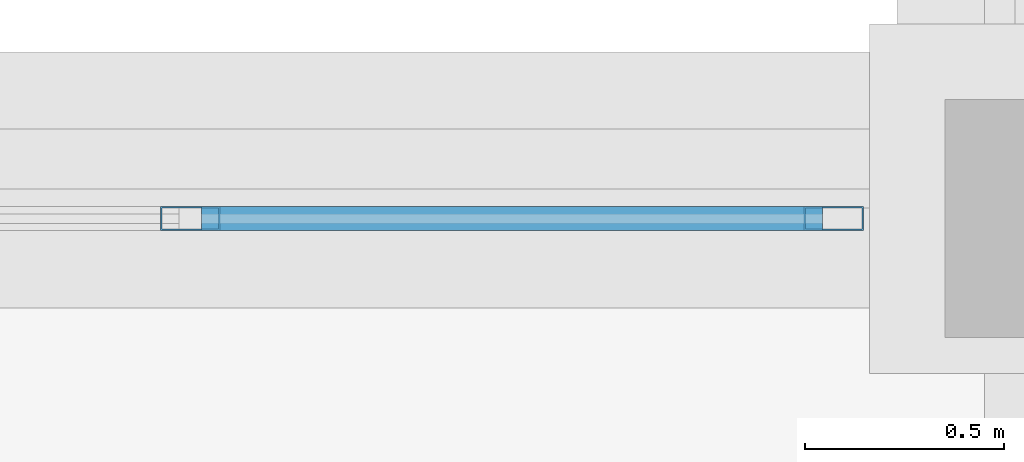
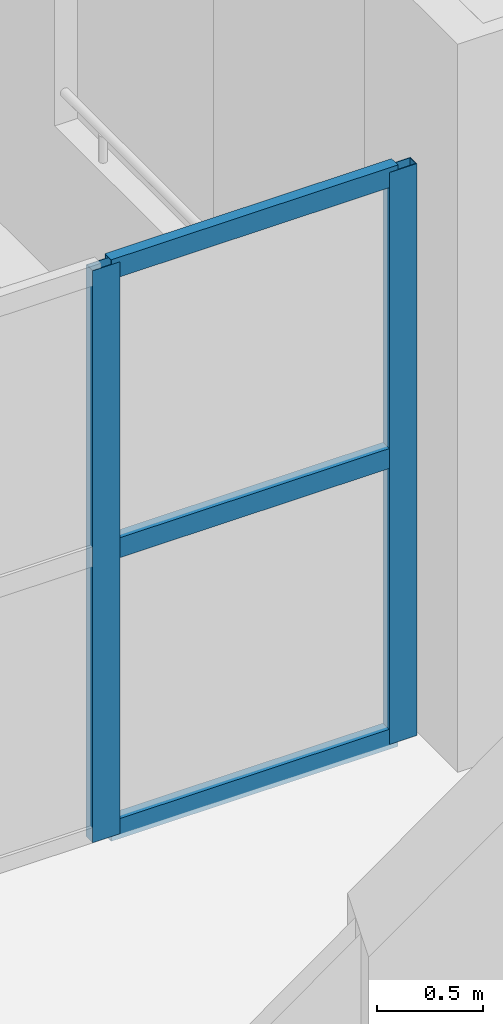
# One storey, part 69 of 120: 5 members, 1 element without a shape of its own.
"""IFC4 building model written with IfcOpenShell, lengths in metres."""

from ifc_helpers import new_model, si_unit, direction, frame, origin, origin_2d, place, context, subcontext, project, spatial, hollow_rectangle, extrude, material, material_profile, profile_set, type_object, element, aggregate, save


model = new_model("IFC4")

# Units and contexts
model_context = context("Model", 3, precision=1e-05, world=origin(), true_north=direction((0.0, 1.0)))
body_context = subcontext(model_context, "Body", "Model", "MODEL_VIEW")
ifc_project = project(units=[si_unit("LENGTHUNIT", "METRE"), si_unit("AREAUNIT", "SQUARE_METRE"), si_unit("VOLUMEUNIT", "CUBIC_METRE"), si_unit("PLANEANGLEUNIT", "RADIAN"), si_unit("MASSUNIT", "GRAM", prefix="KILO")], contexts=[model_context])

# Site, building, storey
site_placement = place(None, origin())
site = spatial("IfcSite", under=ifc_project, at=site_placement, CompositionType="ELEMENT")
building_placement = place(site_placement, origin())
building = spatial("IfcBuilding", under=site, at=building_placement, Name="Caurita Quay Ferry Terminal", CompositionType="ELEMENT")
storey_placement = place(building_placement, frame((0.0, 0.0, 9.89990234375)))
storey = spatial("IfcBuildingStorey", under=building, at=storey_placement, Name="L02", CompositionType="ELEMENT", Elevation=9.89990234375)

# Curtain wall, members
ifc_material_1 = material(Name="Laminated solar-control insulated glass", Category="glass")
curtain_wall_type = type_object("IfcCurtainWallType", Name="CW-SYS-24", PredefinedType="NOTDEFINED", material=ifc_material_1)
curtain_wall_placement = place(storey_placement, origin())
curtain_wall = element("IfcCurtainWall", 1, at=curtain_wall_placement, inside=storey, type_object=curtain_wall_type, Name="L02 Courtyard Cloister Storefront 167", PredefinedType="NOTDEFINED")
ifc_material_2 = material(Name="Anodized aluminium 6063-T6", Category="aluminium")
ifc_material_profile_1 = material_profile(ifc_material_2, hollow_rectangle(XDim=0.06005859375, YDim=0.14990234375, WallThickness=0.00341796875, at=origin_2d()), Name="ALU-MUL-60X150")
ifc_profile_set_1 = profile_set([ifc_material_profile_1], Name="Anodized aluminium 6063-T6")
member_type_1 = type_object("IfcMemberType", Name="CW-MUL-150", PredefinedType="MULLION", material=ifc_profile_set_1)
member_1_placement = place(storey_placement, frame((63.800048828125, 80.199951171875, 0.0), z_axis=(0.0, 0.0, 1.0), x_axis=(0.0, 1.0, 0.0)))
member_1 = element("IfcMember", 2, at=member_1_placement, type_object=member_type_1, Name="CW-CRT-167 Mullion 6", PredefinedType="MULLION", context=body_context, shape_type="SweptSolid", body=[
    extrude(hollow_rectangle(XDim=0.06005859375, YDim=0.14990234375, WallThickness=0.00341796875, at=origin_2d()), origin(), (0.0, 0.0, 1.0), 3.300048828125),
])
member_2_placement = place(storey_placement, frame((65.419921875, 80.199951171875, 0.0), z_axis=(0.0, 0.0, 1.0), x_axis=(0.0, 1.0, 0.0)))
member_2 = element("IfcMember", 3, at=member_2_placement, type_object=member_type_1, Name="CW-CRT-167 Mullion 7", PredefinedType="MULLION", context=body_context, shape_type="SweptSolid", body=[
    extrude(hollow_rectangle(XDim=0.06005859375, YDim=0.14990234375, WallThickness=0.00341796875, at=origin_2d()), origin(), (0.0, 0.0, 1.0), 3.300048828125),
])
ifc_material_profile_2 = material_profile(ifc_material_2, hollow_rectangle(XDim=0.06005859375, YDim=0.114990234375, WallThickness=0.00341796875, at=origin_2d()), Name="ALU-TRN-60X115")
ifc_profile_set_2 = profile_set([ifc_material_profile_2], Name="Anodized aluminium 6063-T6")
member_type_2 = type_object("IfcMemberType", Name="CW-TRN-115", PredefinedType="USERDEFINED", material=ifc_profile_set_2)
member_3_placement = place(storey_placement, frame((63.827880859375, 80.199951171875, 0.030029296875), z_axis=(1.0, 0.0, 0.0), x_axis=(0.0, 1.0, 0.0)))
member_3 = element("IfcMember", 4, at=member_3_placement, type_object=member_type_2, Name="CW-CRT-167 Transom 16", ObjectType="TRANSOM", PredefinedType="USERDEFINED", context=body_context, shape_type="SweptSolid", body=[
    extrude(hollow_rectangle(XDim=0.06005859375, YDim=0.114990234375, WallThickness=0.00341796875, at=origin_2d()), origin(), (0.0, 0.0, 1.0), 1.564208984375),
])
member_4_placement = place(storey_placement, frame((63.827880859375, 80.199951171875, 1.650146484375), z_axis=(1.0, 0.0, 0.0), x_axis=(0.0, 1.0, 0.0)))
member_4 = element("IfcMember", 5, at=member_4_placement, type_object=member_type_2, Name="CW-CRT-167 Transom 17", ObjectType="TRANSOM", PredefinedType="USERDEFINED", context=body_context, shape_type="SweptSolid", body=[
    extrude(hollow_rectangle(XDim=0.06005859375, YDim=0.114990234375, WallThickness=0.00341796875, at=origin_2d()), origin(), (0.0, 0.0, 1.0), 1.564208984375),
])
member_5_placement = place(storey_placement, frame((63.827880859375, 80.199951171875, 3.27001953125), z_axis=(1.0, 0.0, 0.0), x_axis=(0.0, 1.0, 0.0)))
member_5 = element("IfcMember", 6, at=member_5_placement, type_object=member_type_2, Name="CW-CRT-167 Transom 18", ObjectType="TRANSOM", PredefinedType="USERDEFINED", context=body_context, shape_type="SweptSolid", body=[
    extrude(hollow_rectangle(XDim=0.06005859375, YDim=0.114990234375, WallThickness=0.00341796875, at=origin_2d()), origin(), (0.0, 0.0, 1.0), 1.564208984375),
])
aggregate(curtain_wall, [member_1, member_2, member_3, member_4, member_5])

save(model, "model.ifc")
